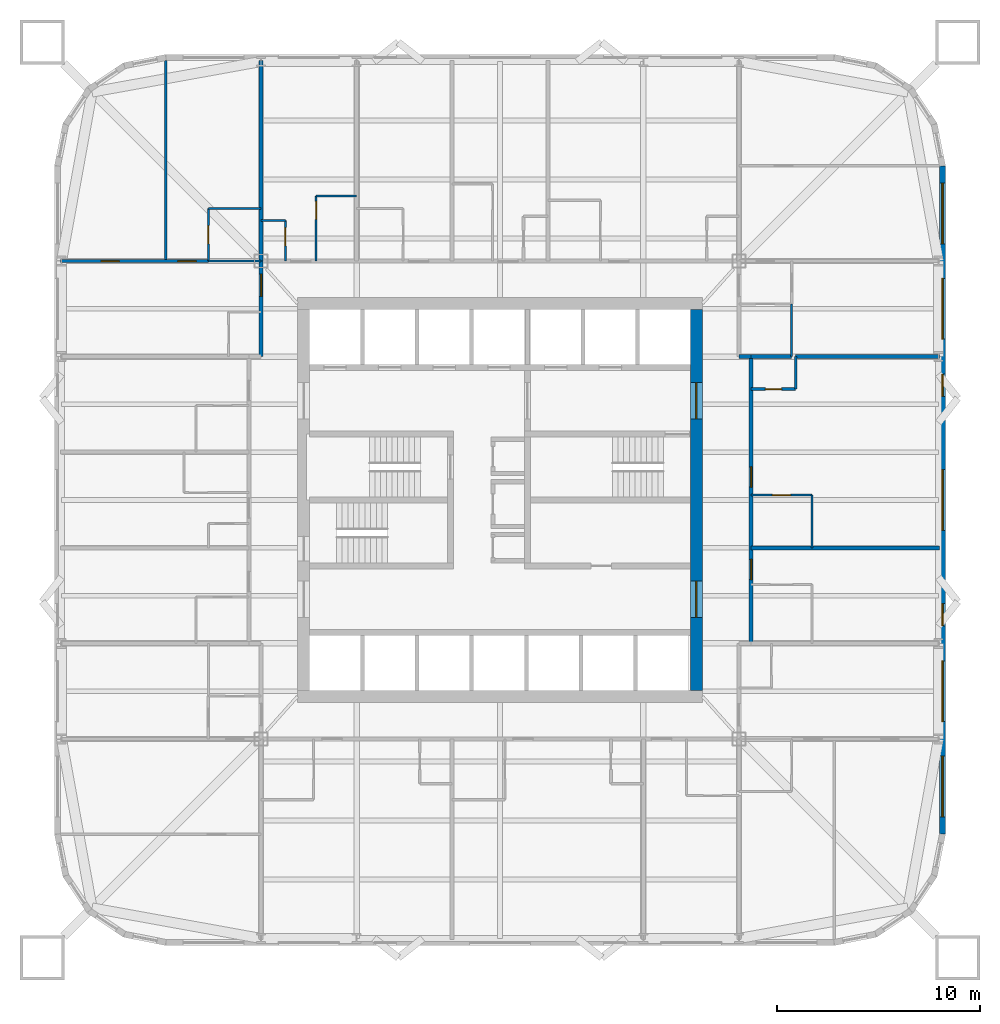
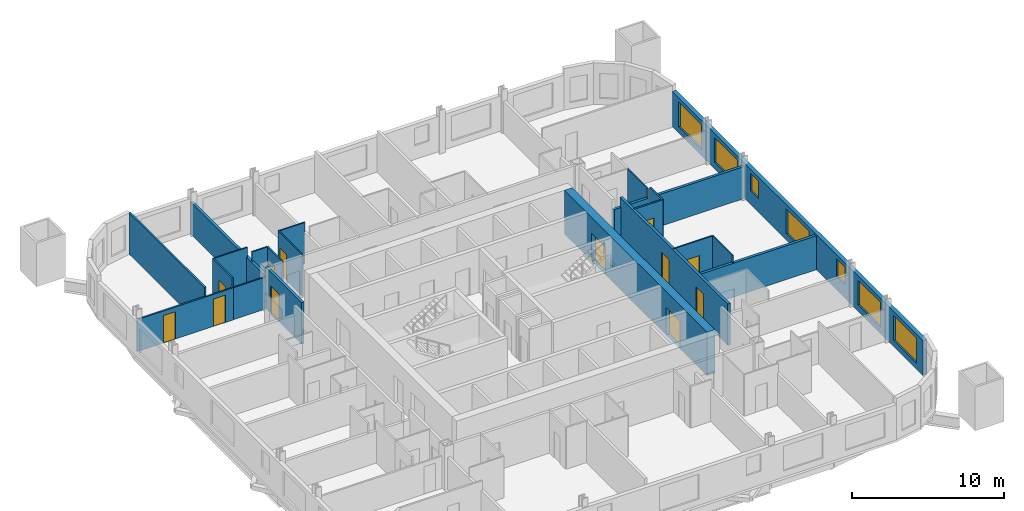
# One storey, part 6 of 9: 23 walls, 12 doors, 7 windows, 19 openings.
"""IFC4 building model written with IfcOpenShell, lengths in metres."""

from ifc_helpers import new_model, si_unit, direction, frame, frame_2d, origin, place, context, subcontext, project, spatial, rectangle, extrude, material, layer, layer_set, type_object, element, fill, save


model = new_model("IFC4")

# Units and contexts
model_context = context("Model", 3, precision=1e-05, world=origin(), true_north=direction((0.0, 1.0)))
body_context = subcontext(model_context, "Body", "Model", "MODEL_VIEW")
ifc_project = project(units=[si_unit("LENGTHUNIT", "METRE"), si_unit("AREAUNIT", "SQUARE_METRE"), si_unit("VOLUMEUNIT", "CUBIC_METRE"), si_unit("PLANEANGLEUNIT", "RADIAN"), si_unit("MASSUNIT", "GRAM", prefix="KILO")], contexts=[model_context])

# Site, building, storey
site_placement = place(None, origin())
site = spatial("IfcSite", under=ifc_project, at=site_placement, CompositionType="ELEMENT")
building_placement = place(site_placement, origin())
building = spatial("IfcBuilding", under=site, at=building_placement, Name="Turquesa Mirador Hotel Tower", CompositionType="ELEMENT")
storey_placement = place(building_placement, frame((0.0, 0.0, 49.5)))
storey = spatial("IfcBuildingStorey", under=building, at=storey_placement, Name="L12", CompositionType="ELEMENT", Elevation=49.5)

# Wall, opening, door
ifc_material_1 = material(Name="Gypsum board on steel studs", Category="steel")
ifc_layer_1 = layer(ifc_material_1, 0.10009765625)
ifc_layer_set_1 = layer_set([ifc_layer_1], Name="BATHROOM WALL 100")
wall_type_1 = type_object("IfcWallType", Name="BATHROOM WALL 100", PredefinedType="PARTITIONING", material=ifc_layer_set_1)
wall_1_placement = place(storey_placement, frame((67.39990234375, 45.239990234375, 0.0), z_axis=(0.0, 0.0, 1.0), x_axis=(1.0, 0.0, 0.0)))
wall_1 = element("IfcWall", 1, at=wall_1_placement, inside=storey, type_object=wall_type_1, Name="Partition L12 023", PredefinedType="PARTITIONING", context=body_context, shape_type="SweptSolid", body=[
    extrude(rectangle(XDim=3.0, YDim=0.10009765625, at=frame_2d((1.5, 0.0))), origin(), (0.0, 0.0, 1.0), 3.330078125),
])
opening_1_placement = place(wall_1_placement, frame((1.050048828125, 0.0, 0.0)))
opening_1 = element("IfcOpeningElement", 2, at=opening_1_placement, cuts=wall_1, Name="Opening D02", PredefinedType="OPENING", context=body_context, shape_type="SweptSolid", body=[
    extrude(rectangle(XDim=0.89990234375, YDim=2.10009765625, at=frame_2d((0.449951171875, 1.050048828125))), frame((0.0, 0.06005859375, 0.0), z_axis=(0.0, -1.0, 0.0), x_axis=(1.0, 0.0, 0.0)), (0.0, 0.0, 1.0), 0.1201171875),
])
ifc_material_2 = material(Name="Timber veneered door", Category="wood")
door_type_1 = type_object("IfcDoorType", Name="DOOR 900X2100 EN-SUITE", OperationType="SINGLE_SWING_RIGHT", PredefinedType="DOOR", material=ifc_material_2)
door_1_placement = place(opening_1_placement, origin())
door_1 = element("IfcDoor", 3, at=door_1_placement, inside=storey, type_object=door_type_1, Name="Door 1209B", OperationType="SINGLE_SWING_RIGHT", OverallHeight=2.10009765625, OverallWidth=0.89990234375, PredefinedType="DOOR", context=body_context, shape_type="SweptSolid", body=[
    extrude(rectangle(XDim=0.89990234375, YDim=2.10009765625, at=frame_2d((0.449951171875, 1.050048828125))), frame((0.0, 0.02490234375, 0.0), z_axis=(0.0, -1.0, 0.0), x_axis=(1.0, 0.0, 0.0)), (0.0, 0.0, 1.0), 0.050048828125),
])
fill(opening_1, door_1)

# Walls
wall_2_placement = place(storey_placement, frame((40.60009765625, 56.800048828125, 0.0), z_axis=(0.0, 0.0, 1.0), x_axis=(1.0, 0.0, 0.0)))
element("IfcWall", 4, at=wall_2_placement, inside=storey, type_object=wall_type_1, Name="Partition L12 025", PredefinedType="PARTITIONING", context=body_context, shape_type="SweptSolid", body=[
    extrude(rectangle(XDim=2.599853515625, YDim=0.10009765625, at=frame_2d((1.2998046875, 0.0))), origin(), (0.0, 0.0, 1.0), 2.572998046875),
])
wall_3_placement = place(storey_placement, frame((43.199951171875, 58.800048828125, 0.0), z_axis=(0.0, 0.0, 1.0), x_axis=(1.0, 0.0, 0.0)))
element("IfcWall", 5, at=wall_3_placement, inside=storey, type_object=wall_type_1, Name="Partition L12 029", PredefinedType="PARTITIONING", context=body_context, shape_type="SweptSolid", body=[
    extrude(rectangle(XDim=1.199951171875, YDim=0.10009765625, at=frame_2d((0.60009765625, 0.0))), origin(), (0.0, 0.0, 1.0), 3.330078125),
])
wall_4_placement = place(storey_placement, frame((40.60009765625, 59.39990234375, 0.0), z_axis=(0.0, 0.0, 1.0), x_axis=(1.0, 0.0, 0.0)))
element("IfcWall", 6, at=wall_4_placement, inside=storey, type_object=wall_type_1, Name="Partition L12 032", PredefinedType="PARTITIONING", context=body_context, shape_type="SweptSolid", body=[
    extrude(rectangle(XDim=2.599853515625, YDim=0.10009765625, at=frame_2d((1.2998046875, 0.0))), origin(), (0.0, 0.0, 1.0), 3.330078125),
])
wall_5_placement = place(storey_placement, frame((45.919921875, 60.0, 0.0), z_axis=(0.0, 0.0, 1.0), x_axis=(1.0, 0.0, 0.0)))
element("IfcWall", 7, at=wall_5_placement, inside=storey, type_object=wall_type_1, Name="Partition L12 035", PredefinedType="PARTITIONING", context=body_context, shape_type="SweptSolid", body=[
    extrude(rectangle(XDim=2.0, YDim=0.10009765625, at=frame_2d((1.0, 0.0))), origin(), (0.0, 0.0, 1.0), 3.330078125),
])

# Wall, opening, door
wall_6_placement = place(storey_placement, frame((44.39990234375, 56.800048828125, 0.0), z_axis=(0.0, 0.0, 1.0), x_axis=(0.0, 1.0, 0.0)))
wall_6 = element("IfcWall", 8, at=wall_6_placement, inside=storey, type_object=wall_type_1, Name="Partition L12 049", PredefinedType="PARTITIONING", context=body_context, shape_type="SweptSolid", body=[
    extrude(rectangle(XDim=2.0, YDim=0.10009765625, at=frame_2d((1.0, 0.0))), origin(), (0.0, 0.0, 1.0), 3.330078125),
])
opening_2_placement = place(wall_6_placement, frame((0.75, 0.0, 0.0)))
opening_2 = element("IfcOpeningElement", 9, at=opening_2_placement, cuts=wall_6, Name="Opening D06", PredefinedType="OPENING", context=body_context, shape_type="SweptSolid", body=[
    extrude(rectangle(XDim=0.89990234375, YDim=2.10009765625, at=frame_2d((0.449951171875, 1.050048828125))), frame((0.0, 0.06005859375, 0.0), z_axis=(0.0, -1.0, 0.0), x_axis=(1.0, 0.0, 0.0)), (0.0, 0.0, 1.0), 0.1201171875),
])
ifc_material_3 = material(Name="Laminate door", Category="wood")
door_type_2 = type_object("IfcDoorType", Name="DOOR 900X2100 WC", OperationType="SINGLE_SWING_LEFT", PredefinedType="DOOR", material=ifc_material_3)
door_2_placement = place(opening_2_placement, origin())
door_2 = element("IfcDoor", 10, at=door_2_placement, inside=storey, type_object=door_type_2, Name="Door 1201W", OperationType="SINGLE_SWING_LEFT", OverallHeight=2.10009765625, OverallWidth=0.89990234375, PredefinedType="DOOR", context=body_context, shape_type="SweptSolid", body=[
    extrude(rectangle(XDim=0.89990234375, YDim=2.10009765625, at=frame_2d((0.449951171875, 1.050048828125))), frame((0.0, 0.02490234375, 0.0), z_axis=(0.0, -1.0, 0.0), x_axis=(1.0, 0.0, 0.0)), (0.0, 0.0, 1.0), 0.050048828125),
])
fill(opening_2, door_2)

wall_7_placement = place(storey_placement, frame((40.60009765625, 56.800048828125, 0.0), z_axis=(0.0, 0.0, 1.0), x_axis=(0.0, 1.0, 0.0)))
wall_7 = element("IfcWall", 11, at=wall_7_placement, inside=storey, type_object=wall_type_1, Name="Partition L12 058", PredefinedType="PARTITIONING", context=body_context, shape_type="SweptSolid", body=[
    extrude(rectangle(XDim=2.599853515625, YDim=0.10009765625, at=frame_2d((1.2998046875, 0.0))), origin(), (0.0, 0.0, 1.0), 3.330078125),
])
opening_3_placement = place(wall_7_placement, frame((0.85009765625, 0.0, 0.0)))
opening_3 = element("IfcOpeningElement", 12, at=opening_3_placement, cuts=wall_7, Name="Opening D02", PredefinedType="OPENING", context=body_context, shape_type="SweptSolid", body=[
    extrude(rectangle(XDim=0.89990234375, YDim=2.10009765625, at=frame_2d((0.449951171875, 1.050048828125))), frame((0.0, 0.06005859375, 0.0), z_axis=(0.0, -1.0, 0.0), x_axis=(1.0, 0.0, 0.0)), (0.0, 0.0, 1.0), 0.1201171875),
])
door_3_placement = place(opening_3_placement, origin())
door_3 = element("IfcDoor", 13, at=door_3_placement, inside=storey, type_object=door_type_1, Name="Door 1214B", OperationType="SINGLE_SWING_RIGHT", OverallHeight=2.10009765625, OverallWidth=0.89990234375, PredefinedType="DOOR", context=body_context, shape_type="SweptSolid", body=[
    extrude(rectangle(XDim=0.89990234375, YDim=2.10009765625, at=frame_2d((0.449951171875, 1.050048828125))), frame((0.0, 0.02490234375, 0.0), z_axis=(0.0, -1.0, 0.0), x_axis=(1.0, 0.0, 0.0)), (0.0, 0.0, 1.0), 0.050048828125),
])
fill(opening_3, door_3)

wall_8_placement = place(storey_placement, frame((45.919921875, 56.800048828125, 0.0), z_axis=(0.0, 0.0, 1.0), x_axis=(0.0, 1.0, 0.0)))
wall_8 = element("IfcWall", 14, at=wall_8_placement, inside=storey, type_object=wall_type_1, Name="Partition L12 069", PredefinedType="PARTITIONING", context=body_context, shape_type="SweptSolid", body=[
    extrude(rectangle(XDim=3.199951171875, YDim=0.10009765625, at=frame_2d((1.60009765625, 0.0))), origin(), (0.0, 0.0, 1.0), 3.330078125),
])
opening_4_placement = place(wall_8_placement, frame((2.050048828125, 0.0, 0.0)))
opening_4 = element("IfcOpeningElement", 15, at=opening_4_placement, cuts=wall_8, Name="Opening D02", PredefinedType="OPENING", context=body_context, shape_type="SweptSolid", body=[
    extrude(rectangle(XDim=0.89990234375, YDim=2.10009765625, at=frame_2d((0.449951171875, 1.050048828125))), frame((0.0, 0.06005859375, 0.0), z_axis=(0.0, -1.0, 0.0), x_axis=(1.0, 0.0, 0.0)), (0.0, 0.0, 1.0), 0.1201171875),
])
door_4_placement = place(opening_4_placement, origin())
door_4 = element("IfcDoor", 16, at=door_4_placement, inside=storey, type_object=door_type_1, Name="Door 1201B", OperationType="SINGLE_SWING_RIGHT", OverallHeight=2.10009765625, OverallWidth=0.89990234375, PredefinedType="DOOR", context=body_context, shape_type="SweptSolid", body=[
    extrude(rectangle(XDim=0.89990234375, YDim=2.10009765625, at=frame_2d((0.449951171875, 1.050048828125))), frame((0.0, 0.02490234375, 0.0), z_axis=(0.0, -1.0, 0.0), x_axis=(1.0, 0.0, 0.0)), (0.0, 0.0, 1.0), 0.050048828125),
])
fill(opening_4, door_4)

# Walls
wall_9_placement = place(storey_placement, frame((69.39990234375, 52.080078125, 0.0), z_axis=(0.0, 0.0, 1.0), x_axis=(0.0, 1.0, 0.0)))
element("IfcWall", 17, at=wall_9_placement, inside=storey, type_object=wall_type_1, Name="Partition L12 082", PredefinedType="PARTITIONING", context=body_context, shape_type="SweptSolid", body=[
    extrude(rectangle(XDim=2.599853515625, YDim=0.10009765625, at=frame_2d((1.2998046875, 0.0))), origin(), (0.0, 0.0, 1.0), 3.330078125),
])
wall_10_placement = place(storey_placement, frame((70.39990234375, 42.639892578125, 0.0), z_axis=(0.0, 0.0, 1.0), x_axis=(0.0, 1.0, 0.0)))
element("IfcWall", 18, at=wall_10_placement, inside=storey, type_object=wall_type_1, Name="Partition L12 086", PredefinedType="PARTITIONING", context=body_context, shape_type="SweptSolid", body=[
    extrude(rectangle(XDim=2.60009765625, YDim=0.10009765625, at=frame_2d((1.300048828125, 0.0))), origin(), (0.0, 0.0, 1.0), 3.330078125),
])

# Wall, openings, doors
ifc_material_4 = material(Name="Concrete C50/60", Category="concrete")
ifc_layer_2 = layer(ifc_material_4, 0.60009765625)
ifc_layer_set_2 = layer_set([ifc_layer_2], Name="CORE WALL 600")
wall_type_2 = type_object("IfcWallType", Name="CORE WALL 600", PredefinedType="SHEAR", material=ifc_layer_set_2)
wall_11_placement = place(storey_placement, frame((64.699951171875, 35.60009765625, 0.0), z_axis=(0.0, 0.0, 1.0), x_axis=(0.0, 1.0, 0.0)))
wall_11 = element("IfcWall", 19, at=wall_11_placement, inside=storey, type_object=wall_type_2, Name="Core wall E", PredefinedType="SHEAR", context=body_context, shape_type="SweptSolid", body=[
    extrude(rectangle(XDim=18.7998046875, YDim=0.60009765625, at=frame_2d((9.39990234375, 0.0))), origin(), (0.0, 0.0, 1.0), 3.5),
])
opening_5_placement = place(wall_11_placement, frame((13.39990234375, 0.0, 0.0)))
opening_5 = element("IfcOpeningElement", 20, at=opening_5_placement, cuts=wall_11, Name="Opening D04", PredefinedType="OPENING", context=body_context, shape_type="SweptSolid", body=[
    extrude(rectangle(XDim=1.800048828125, YDim=2.199951171875, at=frame_2d((0.89990234375, 1.10009765625))), frame((0.0, 0.31005859375, 0.0), z_axis=(0.0, -1.0, 0.0), x_axis=(1.0, 0.0, 0.0)), (0.0, 0.0, 1.0), 0.6201171875),
])
opening_6_placement = place(wall_11_placement, frame((3.60009765625, 0.0, 0.0)))
opening_6 = element("IfcOpeningElement", 21, at=opening_6_placement, cuts=wall_11, Name="Opening D04", PredefinedType="OPENING", context=body_context, shape_type="SweptSolid", body=[
    extrude(rectangle(XDim=1.800048828125, YDim=2.199951171875, at=frame_2d((0.89990234375, 1.10009765625))), frame((0.0, 0.31005859375, 0.0), z_axis=(0.0, -1.0, 0.0), x_axis=(1.0, 0.0, 0.0)), (0.0, 0.0, 1.0), 0.6201171875),
])
ifc_material_5 = material(Name="Steel fire door pair", Category="steel")
door_type_3 = type_object("IfcDoorType", Name="DOOR 1800X2200 PAIR", OperationType="DOUBLE_DOOR_SINGLE_SWING", PredefinedType="DOOR", material=ifc_material_5)
door_5_placement = place(opening_5_placement, origin())
door_5 = element("IfcDoor", 22, at=door_5_placement, inside=storey, type_object=door_type_3, Name="Firefighting lobby door", OperationType="DOUBLE_DOOR_SINGLE_SWING", OverallHeight=2.199951171875, OverallWidth=1.800048828125, PredefinedType="DOOR", context=body_context, shape_type="SweptSolid", body=[
    extrude(rectangle(XDim=1.800048828125, YDim=2.199951171875, at=frame_2d((0.89990234375, 1.10009765625))), frame((0.0, 0.02490234375, 0.0), z_axis=(0.0, -1.0, 0.0), x_axis=(1.0, 0.0, 0.0)), (0.0, 0.0, 1.0), 0.050048828125),
])
fill(opening_5, door_5)
door_6_placement = place(opening_6_placement, origin())
door_6 = element("IfcDoor", 23, at=door_6_placement, inside=storey, type_object=door_type_3, Name="South lift lobby door", OperationType="DOUBLE_DOOR_SINGLE_SWING", OverallHeight=2.199951171875, OverallWidth=1.800048828125, PredefinedType="DOOR", context=body_context, shape_type="SweptSolid", body=[
    extrude(rectangle(XDim=1.800048828125, YDim=2.199951171875, at=frame_2d((0.89990234375, 1.10009765625))), frame((0.0, 0.02490234375, 0.0), z_axis=(0.0, -1.0, 0.0), x_axis=(1.0, 0.0, 0.0)), (0.0, 0.0, 1.0), 0.050048828125),
])
fill(opening_6, door_6)

# Wall
ifc_material_6 = material(Name="Fire-rated gypsum board on steel studs", Category="steel")
ifc_layer_3 = layer(ifc_material_6, 0.199951171875)
ifc_layer_set_3 = layer_set([ifc_layer_3], Name="CORRIDOR WALL 200")
wall_type_3 = type_object("IfcWallType", Name="CORRIDOR WALL 200", PredefinedType="PARTITIONING", material=ifc_layer_set_3)
wall_12_placement = place(storey_placement, frame((66.800048828125, 52.080078125, 0.0), z_axis=(0.0, 0.0, 1.0), x_axis=(1.0, 0.0, 0.0)))
element("IfcWall", 24, at=wall_12_placement, inside=storey, type_object=wall_type_3, Name="Partition L12 042", PredefinedType="PARTITIONING", context=body_context, shape_type="SweptSolid", body=[
    extrude(rectangle(XDim=0.599853515625, YDim=0.199951171875, at=frame_2d((0.2998046875, 0.0))), origin(), (0.0, 0.0, 1.0), 2.572998046875),
])

# Wall, opening, door
wall_13_placement = place(storey_placement, frame((43.199951171875, 52.080078125, 0.0), z_axis=(0.0, 0.0, 1.0), x_axis=(0.0, 1.0, 0.0)))
wall_13 = element("IfcWall", 25, at=wall_13_placement, inside=storey, type_object=wall_type_3, Name="Partition L12 051", PredefinedType="PARTITIONING", context=body_context, shape_type="SweptSolid", body=[
    extrude(rectangle(XDim=4.719970703125, YDim=0.199951171875, at=frame_2d((2.35986328125, 0.0))), origin(), (0.0, 0.0, 1.0), 3.330078125),
])
opening_7_placement = place(wall_13_placement, frame((2.969970703125, 0.0, 0.0)))
opening_7 = element("IfcOpeningElement", 26, at=opening_7_placement, cuts=wall_13, Name="Opening D15", PredefinedType="OPENING", context=body_context, shape_type="SweptSolid", body=[
    extrude(rectangle(XDim=1.10009765625, YDim=2.199951171875, at=frame_2d((0.550048828125, 1.10009765625))), frame((0.0, 0.10986328125, 0.0), z_axis=(0.0, -1.0, 0.0), x_axis=(1.0, 0.0, 0.0)), (0.0, 0.0, 1.0), 0.219970703125),
])
ifc_material_7 = material(Name="Timber veneered fire door", Category="wood")
door_type_4 = type_object("IfcDoorType", Name="DOOR 1100X2200 SUITE ENTRY", OperationType="SINGLE_SWING_LEFT", PredefinedType="DOOR", material=ifc_material_7)
door_7_placement = place(opening_7_placement, origin())
door_7 = element("IfcDoor", 27, at=door_7_placement, inside=storey, type_object=door_type_4, Name="Door 1214", OperationType="SINGLE_SWING_LEFT", OverallHeight=2.199951171875, OverallWidth=1.10009765625, PredefinedType="DOOR", context=body_context, shape_type="SweptSolid", body=[
    extrude(rectangle(XDim=1.10009765625, YDim=2.199951171875, at=frame_2d((0.550048828125, 1.10009765625))), frame((0.0, 0.02490234375, 0.0), z_axis=(0.0, -1.0, 0.0), x_axis=(1.0, 0.0, 0.0)), (0.0, 0.0, 1.0), 0.050048828125),
])
fill(opening_7, door_7)

# Wall, openings, doors
wall_14_placement = place(storey_placement, frame((67.39990234375, 37.919921875, 0.0), z_axis=(0.0, 0.0, 1.0), x_axis=(0.0, 1.0, 0.0)))
wall_14 = element("IfcWall", 28, at=wall_14_placement, inside=storey, type_object=wall_type_3, Name="Partition L12 079", PredefinedType="PARTITIONING", context=body_context, shape_type="SweptSolid", body=[
    extrude(rectangle(XDim=14.16015625, YDim=0.199951171875, at=frame_2d((7.080078125, 0.0))), origin(), (0.0, 0.0, 1.0), 3.330078125),
])
opening_8_placement = place(wall_14_placement, frame((3.14990234375, 0.0, 0.0)))
opening_8 = element("IfcOpeningElement", 29, at=opening_8_placement, cuts=wall_14, Name="Opening D01", PredefinedType="OPENING", context=body_context, shape_type="SweptSolid", body=[
    extrude(rectangle(XDim=1.0, YDim=2.199951171875, at=frame_2d((0.5, 1.10009765625))), frame((0.0, 0.10986328125, 0.0), z_axis=(0.0, -1.0, 0.0), x_axis=(1.0, 0.0, 0.0)), (0.0, 0.0, 1.0), 0.219970703125),
])
opening_9_placement = place(wall_14_placement, frame((7.719970703125, 0.0, 0.0)))
opening_9 = element("IfcOpeningElement", 30, at=opening_9_placement, cuts=wall_14, Name="Opening D01", PredefinedType="OPENING", context=body_context, shape_type="SweptSolid", body=[
    extrude(rectangle(XDim=1.0, YDim=2.199951171875, at=frame_2d((0.5, 1.10009765625))), frame((0.0, 0.10986328125, 0.0), z_axis=(0.0, -1.0, 0.0), x_axis=(1.0, 0.0, 0.0)), (0.0, 0.0, 1.0), 0.219970703125),
])
ifc_material_8 = material(Name="Timber veneered fire door", Category="wood")
door_type_5 = type_object("IfcDoorType", Name="DOOR 1000X2200 GUEST ENTRY", OperationType="SINGLE_SWING_LEFT", PredefinedType="DOOR", material=ifc_material_8)
door_8_placement = place(opening_8_placement, origin())
door_8 = element("IfcDoor", 31, at=door_8_placement, inside=storey, type_object=door_type_5, Name="Door 1208", OperationType="SINGLE_SWING_LEFT", OverallHeight=2.199951171875, OverallWidth=1.0, PredefinedType="DOOR", context=body_context, shape_type="SweptSolid", body=[
    extrude(rectangle(XDim=1.0, YDim=2.199951171875, at=frame_2d((0.5, 1.10009765625))), frame((0.0, 0.02490234375, 0.0), z_axis=(0.0, -1.0, 0.0), x_axis=(1.0, 0.0, 0.0)), (0.0, 0.0, 1.0), 0.050048828125),
])
fill(opening_8, door_8)
door_9_placement = place(opening_9_placement, origin())
door_9 = element("IfcDoor", 32, at=door_9_placement, inside=storey, type_object=door_type_5, Name="Door 1209", OperationType="SINGLE_SWING_LEFT", OverallHeight=2.199951171875, OverallWidth=1.0, PredefinedType="DOOR", context=body_context, shape_type="SweptSolid", body=[
    extrude(rectangle(XDim=1.0, YDim=2.199951171875, at=frame_2d((0.5, 1.10009765625))), frame((0.0, 0.02490234375, 0.0), z_axis=(0.0, -1.0, 0.0), x_axis=(1.0, 0.0, 0.0)), (0.0, 0.0, 1.0), 0.050048828125),
])
fill(opening_9, door_9)

# Wall, openings, windows
ifc_material_9 = material(Name="Limestone cladding on concrete block", Category="masonry")
ifc_layer_4 = layer(ifc_material_9, 0.300048828125)
ifc_layer_set_4 = layer_set([ifc_layer_4], Name="FACADE WALL 300 STONE SCREEN")
wall_type_4 = type_object("IfcWallType", Name="FACADE WALL 300 STONE SCREEN", PredefinedType="SOLIDWALL", material=ifc_layer_set_4)
wall_15_placement = place(storey_placement, frame((76.85009765625, 28.5, 0.0), z_axis=(0.0, 0.0, 1.0), x_axis=(0.0, 1.0, 0.0)))
wall_15 = element("IfcWall", 33, at=wall_15_placement, inside=storey, type_object=wall_type_4, Name="Facade wall L12 04", PredefinedType="SOLIDWALL", context=body_context, shape_type="SweptSolid", body=[
    extrude(rectangle(XDim=33.0, YDim=0.300048828125, at=frame_2d((16.5, 0.0))), origin(), (0.0, 0.0, 1.0), 2.830078125),
])
opening_10_placement = place(wall_15_placement, frame((0.85009765625, 0.0, 0.5)))
opening_10 = element("IfcOpeningElement", 34, at=opening_10_placement, cuts=wall_15, Name="Opening WN1", PredefinedType="OPENING", context=body_context, shape_type="SweptSolid", body=[
    extrude(rectangle(XDim=3.0, YDim=2.0, at=frame_2d((1.5, 1.0))), frame((0.0, 0.159912109375, 0.0), z_axis=(0.0, -1.0, 0.0), x_axis=(1.0, 0.0, 0.0)), (0.0, 0.0, 1.0), 0.320068359375),
])
opening_11_placement = place(wall_15_placement, frame((5.56005859375, 0.0, 0.5)))
opening_11 = element("IfcOpeningElement", 35, at=opening_11_placement, cuts=wall_15, Name="Opening WN1", PredefinedType="OPENING", context=body_context, shape_type="SweptSolid", body=[
    extrude(rectangle(XDim=3.0, YDim=2.0, at=frame_2d((1.5, 1.0))), frame((0.0, 0.159912109375, 0.0), z_axis=(0.0, -1.0, 0.0), x_axis=(1.0, 0.0, 0.0)), (0.0, 0.0, 1.0), 0.320068359375),
])
opening_12_placement = place(wall_15_placement, frame((10.280029296875, 0.0, 1.10009765625)))
opening_12 = element("IfcOpeningElement", 36, at=opening_12_placement, cuts=wall_15, Name="Opening WN37", PredefinedType="OPENING", context=body_context, shape_type="SweptSolid", body=[
    extrude(rectangle(XDim=1.10009765625, YDim=1.39990234375, at=frame_2d((0.550048828125, 0.699951171875))), frame((0.0, 0.159912109375, 0.0), z_axis=(0.0, -1.0, 0.0), x_axis=(1.0, 0.0, 0.0)), (0.0, 0.0, 1.0), 0.320068359375),
])
opening_13_placement = place(wall_15_placement, frame((15.0, 0.0, 0.5)))
opening_13 = element("IfcOpeningElement", 37, at=opening_13_placement, cuts=wall_15, Name="Opening WN1", PredefinedType="OPENING", context=body_context, shape_type="SweptSolid", body=[
    extrude(rectangle(XDim=3.0, YDim=2.0, at=frame_2d((1.5, 1.0))), frame((0.0, 0.159912109375, 0.0), z_axis=(0.0, -1.0, 0.0), x_axis=(1.0, 0.0, 0.0)), (0.0, 0.0, 1.0), 0.320068359375),
])
opening_14_placement = place(wall_15_placement, frame((21.6201171875, 0.0, 1.10009765625)))
opening_14 = element("IfcOpeningElement", 38, at=opening_14_placement, cuts=wall_15, Name="Opening WN37", PredefinedType="OPENING", context=body_context, shape_type="SweptSolid", body=[
    extrude(rectangle(XDim=1.10009765625, YDim=1.39990234375, at=frame_2d((0.550048828125, 0.699951171875))), frame((0.0, 0.159912109375, 0.0), z_axis=(0.0, -1.0, 0.0), x_axis=(1.0, 0.0, 0.0)), (0.0, 0.0, 1.0), 0.320068359375),
])
opening_15_placement = place(wall_15_placement, frame((24.43994140625, 0.0, 0.5)))
opening_15 = element("IfcOpeningElement", 39, at=opening_15_placement, cuts=wall_15, Name="Opening WN1", PredefinedType="OPENING", context=body_context, shape_type="SweptSolid", body=[
    extrude(rectangle(XDim=3.0, YDim=2.0, at=frame_2d((1.5, 1.0))), frame((0.0, 0.159912109375, 0.0), z_axis=(0.0, -1.0, 0.0), x_axis=(1.0, 0.0, 0.0)), (0.0, 0.0, 1.0), 0.320068359375),
])
opening_16_placement = place(wall_15_placement, frame((29.14990234375, 0.0, 0.5)))
opening_16 = element("IfcOpeningElement", 40, at=opening_16_placement, cuts=wall_15, Name="Opening WN1", PredefinedType="OPENING", context=body_context, shape_type="SweptSolid", body=[
    extrude(rectangle(XDim=3.0, YDim=2.0, at=frame_2d((1.5, 1.0))), frame((0.0, 0.159912109375, 0.0), z_axis=(0.0, -1.0, 0.0), x_axis=(1.0, 0.0, 0.0)), (0.0, 0.0, 1.0), 0.320068359375),
])
ifc_material_10 = material(Name="Ceramic-fritted laminated glass", Category="glass")
window_type_1 = type_object("IfcWindowType", Name="FRITTED WINDOW 1100X1400", PartitioningType="DOUBLE_PANEL_HORIZONTAL", PredefinedType="WINDOW", material=ifc_material_10)
window_1_placement = place(opening_12_placement, origin())
window_1 = element("IfcWindow", 41, at=window_1_placement, inside=storey, type_object=window_type_1, Name="Window L12", OverallHeight=1.39990234375, OverallWidth=1.10009765625, PartitioningType="SINGLE_PANEL", PredefinedType="WINDOW", context=body_context, shape_type="SweptSolid", body=[
    extrude(rectangle(XDim=1.10009765625, YDim=1.39990234375, at=frame_2d((0.550048828125, 0.699951171875))), frame((0.0, 0.030029296875, 0.0), z_axis=(0.0, -1.0, 0.0), x_axis=(1.0, 0.0, 0.0)), (0.0, 0.0, 1.0), 0.06005859375),
])
fill(opening_12, window_1)
window_2_placement = place(opening_14_placement, origin())
window_2 = element("IfcWindow", 42, at=window_2_placement, inside=storey, type_object=window_type_1, Name="Window L12", OverallHeight=1.39990234375, OverallWidth=1.10009765625, PartitioningType="SINGLE_PANEL", PredefinedType="WINDOW", context=body_context, shape_type="SweptSolid", body=[
    extrude(rectangle(XDim=1.10009765625, YDim=1.39990234375, at=frame_2d((0.550048828125, 0.699951171875))), frame((0.0, 0.030029296875, 0.0), z_axis=(0.0, -1.0, 0.0), x_axis=(1.0, 0.0, 0.0)), (0.0, 0.0, 1.0), 0.06005859375),
])
fill(opening_14, window_2)
ifc_material_11 = material(Name="Ceramic-fritted laminated glass", Category="glass")
window_type_2 = type_object("IfcWindowType", Name="FRITTED WINDOW 3000X2000", PartitioningType="DOUBLE_PANEL_HORIZONTAL", PredefinedType="WINDOW", material=ifc_material_11)
window_3_placement = place(opening_10_placement, origin())
window_3 = element("IfcWindow", 43, at=window_3_placement, inside=storey, type_object=window_type_2, Name="Window L12", OverallHeight=2.0, OverallWidth=3.0, PartitioningType="SINGLE_PANEL", PredefinedType="WINDOW", context=body_context, shape_type="SweptSolid", body=[
    extrude(rectangle(XDim=3.0, YDim=2.0, at=frame_2d((1.5, 1.0))), frame((0.0, 0.030029296875, 0.0), z_axis=(0.0, -1.0, 0.0), x_axis=(1.0, 0.0, 0.0)), (0.0, 0.0, 1.0), 0.06005859375),
])
fill(opening_10, window_3)
window_4_placement = place(opening_11_placement, origin())
window_4 = element("IfcWindow", 44, at=window_4_placement, inside=storey, type_object=window_type_2, Name="Window L12", OverallHeight=2.0, OverallWidth=3.0, PartitioningType="SINGLE_PANEL", PredefinedType="WINDOW", context=body_context, shape_type="SweptSolid", body=[
    extrude(rectangle(XDim=3.0, YDim=2.0, at=frame_2d((1.5, 1.0))), frame((0.0, 0.030029296875, 0.0), z_axis=(0.0, -1.0, 0.0), x_axis=(1.0, 0.0, 0.0)), (0.0, 0.0, 1.0), 0.06005859375),
])
fill(opening_11, window_4)
window_5_placement = place(opening_13_placement, origin())
window_5 = element("IfcWindow", 45, at=window_5_placement, inside=storey, type_object=window_type_2, Name="Window L12", OverallHeight=2.0, OverallWidth=3.0, PartitioningType="SINGLE_PANEL", PredefinedType="WINDOW", context=body_context, shape_type="SweptSolid", body=[
    extrude(rectangle(XDim=3.0, YDim=2.0, at=frame_2d((1.5, 1.0))), frame((0.0, 0.030029296875, 0.0), z_axis=(0.0, -1.0, 0.0), x_axis=(1.0, 0.0, 0.0)), (0.0, 0.0, 1.0), 0.06005859375),
])
fill(opening_13, window_5)
window_6_placement = place(opening_15_placement, origin())
window_6 = element("IfcWindow", 46, at=window_6_placement, inside=storey, type_object=window_type_2, Name="Window L12", OverallHeight=2.0, OverallWidth=3.0, PartitioningType="SINGLE_PANEL", PredefinedType="WINDOW", context=body_context, shape_type="SweptSolid", body=[
    extrude(rectangle(XDim=3.0, YDim=2.0, at=frame_2d((1.5, 1.0))), frame((0.0, 0.030029296875, 0.0), z_axis=(0.0, -1.0, 0.0), x_axis=(1.0, 0.0, 0.0)), (0.0, 0.0, 1.0), 0.06005859375),
])
fill(opening_15, window_6)
window_7_placement = place(opening_16_placement, origin())
window_7 = element("IfcWindow", 47, at=window_7_placement, inside=storey, type_object=window_type_2, Name="Window L12", OverallHeight=2.0, OverallWidth=3.0, PartitioningType="SINGLE_PANEL", PredefinedType="WINDOW", context=body_context, shape_type="SweptSolid", body=[
    extrude(rectangle(XDim=3.0, YDim=2.0, at=frame_2d((1.5, 1.0))), frame((0.0, 0.030029296875, 0.0), z_axis=(0.0, -1.0, 0.0), x_axis=(1.0, 0.0, 0.0)), (0.0, 0.0, 1.0), 0.06005859375),
])
fill(opening_16, window_7)

# Walls
ifc_material_12 = material(Name="Fire-rated gypsum board on steel studs", Category="steel")
ifc_layer_5 = layer(ifc_material_12, 0.199951171875)
ifc_layer_set_5 = layer_set([ifc_layer_5], Name="PARTY WALL 200")
wall_type_5 = type_object("IfcWallType", Name="PARTY WALL 200", PredefinedType="PARTITIONING", material=ifc_layer_set_5)
wall_16_placement = place(storey_placement, frame((67.39990234375, 42.639892578125, 0.0), z_axis=(0.0, 0.0, 1.0), x_axis=(1.0, 0.0, 0.0)))
element("IfcWall", 48, at=wall_16_placement, inside=storey, type_object=wall_type_5, Name="Partition L12 014", PredefinedType="PARTITIONING", context=body_context, shape_type="SweptSolid", body=[
    extrude(rectangle(XDim=9.300048828125, YDim=0.199951171875, at=frame_2d((4.64990234375, 0.0))), origin(), (0.0, 0.0, 1.0), 2.722900390625),
])
wall_17_placement = place(storey_placement, frame((67.39990234375, 52.080078125, 0.0), z_axis=(0.0, 0.0, 1.0), x_axis=(1.0, 0.0, 0.0)))
element("IfcWall", 49, at=wall_17_placement, inside=storey, type_object=wall_type_5, Name="Partition L12 044", PredefinedType="PARTITIONING", context=body_context, shape_type="SweptSolid", body=[
    extrude(rectangle(XDim=2.0, YDim=0.199951171875, at=frame_2d((1.0, 0.0))), origin(), (0.0, 0.0, 1.0), 2.572998046875),
])
wall_18_placement = place(storey_placement, frame((69.60009765625, 52.080078125, 0.0), z_axis=(0.0, 0.0, 1.0), x_axis=(1.0, 0.0, 0.0)))
element("IfcWall", 50, at=wall_18_placement, inside=storey, type_object=wall_type_5, Name="Partition L12 045", PredefinedType="PARTITIONING", context=body_context, shape_type="SweptSolid", body=[
    extrude(rectangle(XDim=7.099853515625, YDim=0.199951171875, at=frame_2d((3.5498046875, 0.0))), origin(), (0.0, 0.0, 1.0), 2.572998046875),
])
wall_19_placement = place(storey_placement, frame((43.199951171875, 56.800048828125, 0.0), z_axis=(0.0, 0.0, 1.0), x_axis=(0.0, 1.0, 0.0)))
element("IfcWall", 51, at=wall_19_placement, inside=storey, type_object=wall_type_5, Name="Partition L12 053", PredefinedType="PARTITIONING", context=body_context, shape_type="SweptSolid", body=[
    extrude(rectangle(XDim=9.89990234375, YDim=0.199951171875, at=frame_2d((4.949951171875, 0.0))), origin(), (0.0, 0.0, 1.0), 2.572998046875),
])

# Wall, openings, doors
ifc_material_13 = material(Name="Acoustic gypsum board on steel studs", Category="steel")
ifc_layer_6 = layer(ifc_material_13, 0.125)
ifc_layer_set_6 = layer_set([ifc_layer_6], Name="SUITE PARTITION 125")
wall_type_6 = type_object("IfcWallType", Name="SUITE PARTITION 125", PredefinedType="PARTITIONING", material=ifc_layer_set_6)
wall_20_placement = place(storey_placement, frame((33.300048828125, 56.800048828125, 0.0), z_axis=(0.0, 0.0, 1.0), x_axis=(1.0, 0.0, 0.0)))
wall_20 = element("IfcWall", 52, at=wall_20_placement, inside=storey, type_object=wall_type_6, Name="Partition L12 027", PredefinedType="PARTITIONING", context=body_context, shape_type="SweptSolid", body=[
    extrude(rectangle(XDim=7.300048828125, YDim=0.125, at=frame_2d((3.64990234375, 0.0))), origin(), (0.0, 0.0, 1.0), 2.572998046875),
])
opening_17_placement = place(wall_20_placement, frame((5.800048828125, 0.0, 0.0)))
opening_17 = element("IfcOpeningElement", 53, at=opening_17_placement, cuts=wall_20, Name="Opening D17", PredefinedType="OPENING", context=body_context, shape_type="SweptSolid", body=[
    extrude(rectangle(XDim=0.89990234375, YDim=2.199951171875, at=frame_2d((0.449951171875, 1.10009765625))), frame((0.0, 0.072509765625, 0.0), z_axis=(0.0, -1.0, 0.0), x_axis=(1.0, 0.0, 0.0)), (0.0, 0.0, 1.0), 0.14501953125),
])
opening_18_placement = place(wall_20_placement, frame((2.0, 0.0, 0.0)))
opening_18 = element("IfcOpeningElement", 54, at=opening_18_placement, cuts=wall_20, Name="Opening D17", PredefinedType="OPENING", context=body_context, shape_type="SweptSolid", body=[
    extrude(rectangle(XDim=0.89990234375, YDim=2.199951171875, at=frame_2d((0.449951171875, 1.10009765625))), frame((0.0, 0.072509765625, 0.0), z_axis=(0.0, -1.0, 0.0), x_axis=(1.0, 0.0, 0.0)), (0.0, 0.0, 1.0), 0.14501953125),
])
ifc_material_14 = material(Name="Timber veneered door", Category="wood")
door_type_6 = type_object("IfcDoorType", Name="DOOR 900X2200 SUITE INTERNAL", OperationType="SINGLE_SWING_LEFT", PredefinedType="DOOR", material=ifc_material_14)
door_10_placement = place(opening_17_placement, origin())
door_10 = element("IfcDoor", 55, at=door_10_placement, inside=storey, type_object=door_type_6, Name="Door 1214R", OperationType="SINGLE_SWING_LEFT", OverallHeight=2.199951171875, OverallWidth=0.89990234375, PredefinedType="DOOR", context=body_context, shape_type="SweptSolid", body=[
    extrude(rectangle(XDim=0.89990234375, YDim=2.199951171875, at=frame_2d((0.449951171875, 1.10009765625))), frame((0.0, 0.02490234375, 0.0), z_axis=(0.0, -1.0, 0.0), x_axis=(1.0, 0.0, 0.0)), (0.0, 0.0, 1.0), 0.050048828125),
])
fill(opening_17, door_10)
door_11_placement = place(opening_18_placement, origin())
door_11 = element("IfcDoor", 56, at=door_11_placement, inside=storey, type_object=door_type_6, Name="Door 1214S", OperationType="SINGLE_SWING_LEFT", OverallHeight=2.199951171875, OverallWidth=0.89990234375, PredefinedType="DOOR", context=body_context, shape_type="SweptSolid", body=[
    extrude(rectangle(XDim=0.89990234375, YDim=2.199951171875, at=frame_2d((0.449951171875, 1.10009765625))), frame((0.0, 0.02490234375, 0.0), z_axis=(0.0, -1.0, 0.0), x_axis=(1.0, 0.0, 0.0)), (0.0, 0.0, 1.0), 0.050048828125),
])
fill(opening_18, door_11)

# Wall, opening, door
wall_21_placement = place(storey_placement, frame((67.39990234375, 50.47998046875, 0.0), z_axis=(0.0, 0.0, 1.0), x_axis=(1.0, 0.0, 0.0)))
wall_21 = element("IfcWall", 57, at=wall_21_placement, inside=storey, type_object=wall_type_6, Name="Partition L12 040", PredefinedType="PARTITIONING", context=body_context, shape_type="SweptSolid", body=[
    extrude(rectangle(XDim=2.2001953125, YDim=0.125, at=frame_2d((1.10009765625, 0.0))), origin(), (0.0, 0.0, 1.0), 3.330078125),
])
opening_19_placement = place(wall_21_placement, frame((0.699951171875, 0.0, 0.0)))
opening_19 = element("IfcOpeningElement", 58, at=opening_19_placement, cuts=wall_21, Name="Opening D20", PredefinedType="OPENING", context=body_context, shape_type="SweptSolid", body=[
    extrude(rectangle(XDim=0.800048828125, YDim=2.10009765625, at=frame_2d((0.39990234375, 1.050048828125))), frame((0.0, 0.072509765625, 0.0), z_axis=(0.0, -1.0, 0.0), x_axis=(1.0, 0.0, 0.0)), (0.0, 0.0, 1.0), 0.14501953125),
])
ifc_material_15 = material(Name="Timber veneered sliding door", Category="wood")
door_type_7 = type_object("IfcDoorType", Name="DOOR 800X2100 WARDROBE", OperationType="SLIDING_TO_LEFT", PredefinedType="DOOR", material=ifc_material_15)
door_12_placement = place(opening_19_placement, origin())
door_12 = element("IfcDoor", 59, at=door_12_placement, inside=storey, type_object=door_type_7, Name="Door 1209W", OperationType="SLIDING_TO_LEFT", OverallHeight=2.10009765625, OverallWidth=0.800048828125, PredefinedType="DOOR", context=body_context, shape_type="SweptSolid", body=[
    extrude(rectangle(XDim=0.800048828125, YDim=2.10009765625, at=frame_2d((0.39990234375, 1.050048828125))), frame((0.0, 0.02490234375, 0.0), z_axis=(0.0, -1.0, 0.0), x_axis=(1.0, 0.0, 0.0)), (0.0, 0.0, 1.0), 0.050048828125),
])
fill(opening_19, door_12)

# Walls
wall_22_placement = place(storey_placement, frame((38.5, 56.800048828125, 0.0), z_axis=(0.0, 0.0, 1.0), x_axis=(0.0, 1.0, 0.0)))
element("IfcWall", 60, at=wall_22_placement, inside=storey, type_object=wall_type_6, Name="Partition L12 063", PredefinedType="PARTITIONING", context=body_context, shape_type="SweptSolid", body=[
    extrude(rectangle(XDim=9.89404296875, YDim=0.125, at=frame_2d((4.947021484375, 0.0))), origin(), (0.0, 0.0, 1.0), 3.330078125),
])
wall_23_placement = place(storey_placement, frame((69.60009765625, 50.47998046875, 0.0), z_axis=(0.0, 0.0, 1.0), x_axis=(0.0, 1.0, 0.0)))
element("IfcWall", 61, at=wall_23_placement, inside=storey, type_object=wall_type_6, Name="Partition L12 084", PredefinedType="PARTITIONING", context=body_context, shape_type="SweptSolid", body=[
    extrude(rectangle(XDim=1.60009765625, YDim=0.125, at=frame_2d((0.800048828125, 0.0))), origin(), (0.0, 0.0, 1.0), 3.330078125),
])

save(model, "model.ifc")
